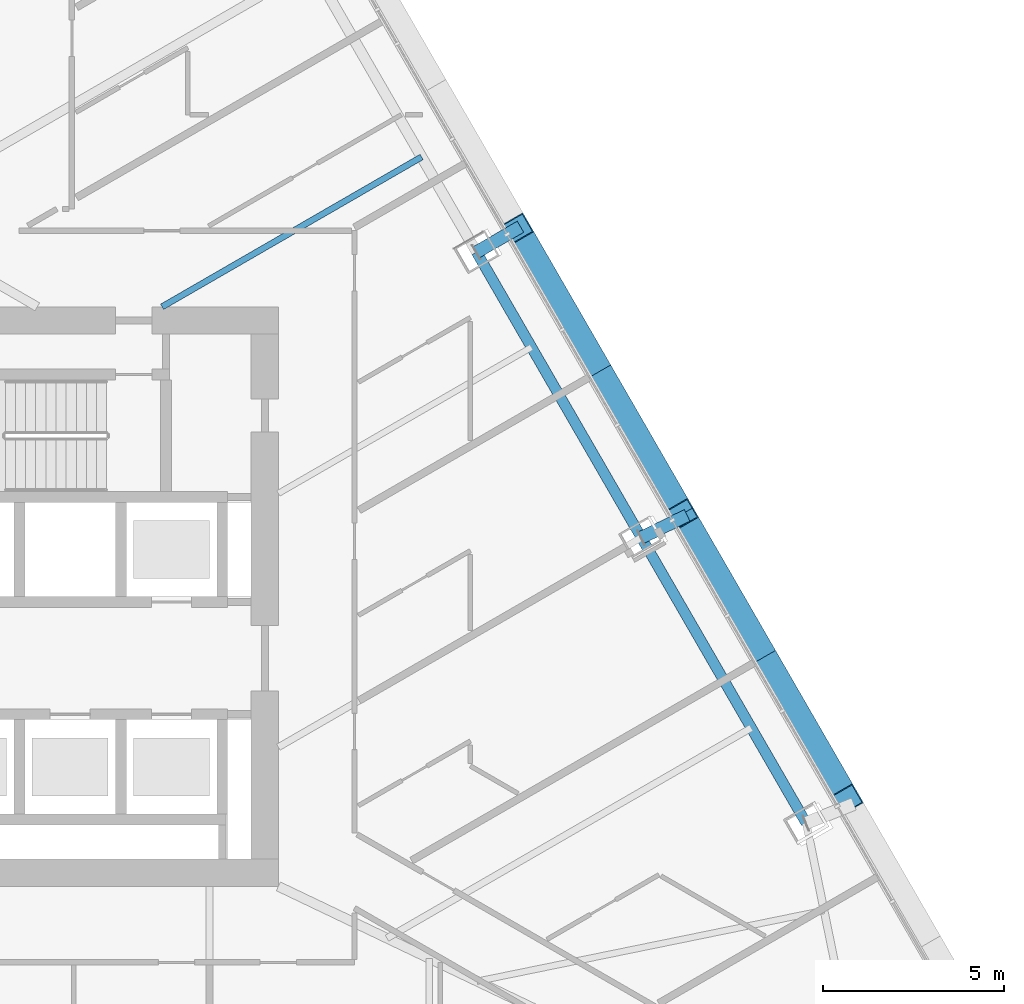
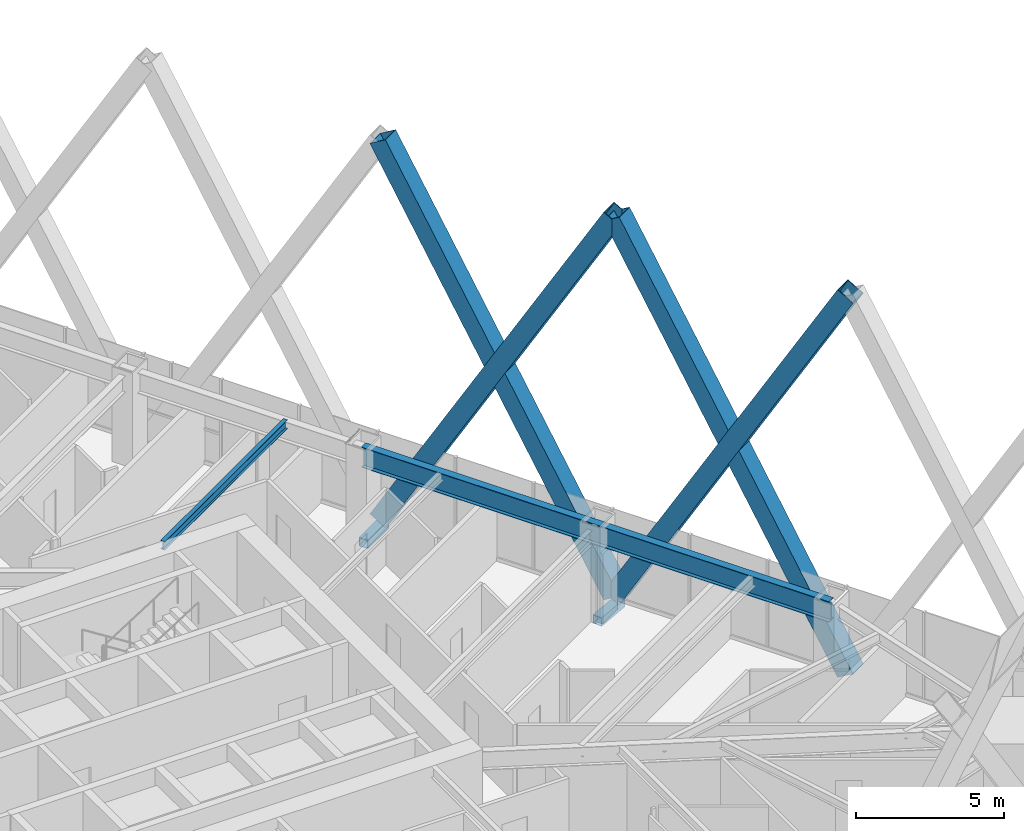
# One storey, part 9 of 26: 6 members, 2 beams.
"""IFC4 building model written with IfcOpenShell, lengths in metres."""

import ifcopenshell
import ifcopenshell.guid

model = None  # the IFC model being written
_history = None  # IfcOwnerHistory: only IFC2X3 demands one
_inside = {}  # id of a spatial element -> (the spatial element, [elements in it])
_under = {}  # id of a project, library or spatial element -> (it, [spatial elements below it])
_declared = {}  # id of a project -> (the project, [libraries it declares])
_typed = {}  # id of a type object -> (the type object, [elements of that type])
_made_of = {}  # id of a material, layer set ... -> (it, [elements and type objects made of it])


def new_model(schema):
    """Start an empty IFC model of exactly this schema.

    Asked for "IFC4X3", IfcOpenShell would pick the latest addendum, in which some entities
    have other attributes; the version numbers below select the first issue.
    IFC2X3 requires an IfcOwnerHistory on every rooted entity: one is made here for all.
    """
    global model, _history
    if schema == "IFC4X3":
        model = ifcopenshell.file(schema_version=(4, 3, 0, 0))
    else:
        model = ifcopenshell.file(schema=schema)
    _inside.clear()
    _under.clear()
    _declared.clear()
    _typed.clear()
    _made_of.clear()
    _history = None
    if model.schema == "IFC2X3":
        org = make("IfcOrganization", Name="unknown")
        user = make(
            "IfcPersonAndOrganization",
            ThePerson=make("IfcPerson", FamilyName="unknown"),
            TheOrganization=org,
        )
        app = make(
            "IfcApplication",
            ApplicationDeveloper=org,
            Version="unknown",
            ApplicationFullName="unknown",
            ApplicationIdentifier="unknown",
        )
        _history = make(
            "IfcOwnerHistory",
            OwningUser=user,
            OwningApplication=app,
            ChangeAction="ADDED",
            CreationDate=0,
        )
    return model


def make(cls, **values):
    """One entity of the class cls with the attributes given. An attribute that is None is left unset."""
    return model.create_entity(
        cls, **{name: value for name, value in values.items() if value is not None}
    )


def rooted(cls, **values):
    """An entity with a GlobalId (a new one), such as an element, a storey or a relation."""
    return make(cls, GlobalId=ifcopenshell.guid.new(), OwnerHistory=_history, **values)


def si_unit(unit_type, name, prefix=None):
    """IfcSIUnit, for example si_unit("LENGTHUNIT", "METRE", prefix="MILLI")."""
    return make("IfcSIUnit", UnitType=unit_type, Prefix=prefix, Name=name)


def assignment(units):
    """IfcUnitAssignment: the units of a project."""
    return None if units is None else make("IfcUnitAssignment", Units=units)


def point(xyz):
    """IfcCartesianPoint."""
    return None if xyz is None else make("IfcCartesianPoint", Coordinates=xyz)


def direction(xyz):
    """IfcDirection."""
    return None if xyz is None else make("IfcDirection", DirectionRatios=xyz)


def frame(location, z_axis=None, x_axis=None):
    """IfcAxis2Placement3D, a coordinate frame: its origin and axes. An axis left out is left unset."""
    return make(
        "IfcAxis2Placement3D",
        Location=point(location),
        Axis=direction(z_axis),
        RefDirection=direction(x_axis),
    )


def frame_2d(location, x_axis=None):
    """IfcAxis2Placement2D, a coordinate frame in the plane: its origin and x axis."""
    return make(
        "IfcAxis2Placement2D", Location=point(location), RefDirection=direction(x_axis)
    )


def origin():
    """The frame at (0, 0, 0) with its axes left unset."""
    return frame((0.0, 0.0, 0.0))


def origin_2d():
    """The frame at (0, 0) in the plane with its x axis left unset."""
    return frame_2d((0.0, 0.0))


def place(relative_to, where):
    """IfcLocalPlacement: puts the frame where relative to a parent placement (None: the world)."""
    return make(
        "IfcLocalPlacement", PlacementRelTo=relative_to, RelativePlacement=where
    )


def context(
    kind, dimensions, precision=None, world=None, true_north=None, identifier=None
):
    """IfcGeometricRepresentationContext, for example the 3D "Model" context."""
    return make(
        "IfcGeometricRepresentationContext",
        ContextIdentifier=identifier,
        ContextType=kind,
        CoordinateSpaceDimension=dimensions,
        Precision=precision,
        WorldCoordinateSystem=world,
        TrueNorth=true_north,
    )


def subcontext(parent, identifier, kind, view, scale=None):
    """IfcGeometricRepresentationSubContext, for example "Body" below "Model"."""
    return make(
        "IfcGeometricRepresentationSubContext",
        ContextIdentifier=identifier,
        ContextType=kind,
        ParentContext=parent,
        TargetScale=scale,
        TargetView=view,
    )


def project(units=None, contexts=None):
    """IfcProject with its units and contexts."""
    return rooted(
        "IfcProject",
        Name="project",
        RepresentationContexts=contexts,
        UnitsInContext=assignment(units),
    )


def spatial(cls, under=None, at=None, **own):
    """A site, building, storey or space (cls), placed at a placement, below another one or the project."""
    s = rooted(cls, ObjectPlacement=at, **own)
    if under is not None:
        _under.setdefault(under.id(), (under, []))[1].append(s)
    return s


def profile(cls, at=None, kind="AREA", **sizes):
    """A parametric profile (cls). Its sizes go by their IFC names, for example OverallWidth=200.0."""
    return make(cls, ProfileType=kind, Position=at, **sizes)


def hollow_rectangle(**sizes):
    """IfcRectangleHollowProfileDef."""
    return profile("IfcRectangleHollowProfileDef", **sizes)


def i_section(**sizes):
    """IfcIShapeProfileDef."""
    return profile("IfcIShapeProfileDef", **sizes)


def extrude(swept, where, along, depth):
    """IfcExtrudedAreaSolid: the profile swept, set in the frame where, extruded along a direction by depth."""
    return make(
        "IfcExtrudedAreaSolid",
        SweptArea=swept,
        Position=where,
        ExtrudedDirection=direction(along),
        Depth=depth,
    )


def shape(context_of_items, identifier, shape_type, items):
    """IfcShapeRepresentation: the items that make up one representation, for example the "Body"."""
    return make(
        "IfcShapeRepresentation",
        ContextOfItems=context_of_items,
        RepresentationIdentifier=identifier,
        RepresentationType=shape_type,
        Items=items,
    )


def material(Name=None, Category=None):
    """IfcMaterial."""
    return make("IfcMaterial", Name=Name, Category=Category)


def material_profile(
    of_material, cross_section, Name=None, Category=None, Priority=None
):
    """IfcMaterialProfile: a cross section and its material."""
    return make(
        "IfcMaterialProfile",
        Name=Name,
        Material=of_material,
        Profile=cross_section,
        Priority=Priority,
        Category=Category,
    )


def profile_set(profiles, Name=None, composite=None):
    """IfcMaterialProfileSet."""
    return make(
        "IfcMaterialProfileSet",
        Name=Name,
        MaterialProfiles=profiles,
        CompositeProfile=composite,
    )


def made_of(thing, what):
    """Note that an element or type object is made of a material, layer set ...; save() writes the relation."""
    if what is not None:
        _made_of.setdefault(what.id(), (what, []))[1].append(thing)
    return thing


def type_object(cls, material=None, **own):
    """A type object (cls), such as IfcWallType, which elements share."""
    return made_of(rooted(cls, **own), material)


def element(
    cls,
    number,
    at=None,
    inside=None,
    cuts=None,
    type_object=None,
    material=None,
    context=None,
    identifier="Body",
    shape_type=None,
    held_by="IfcProductDefinitionShape",
    body=None,
    shapes=None,
    **own,
):
    """One element of the class cls, such as IfcWall. Its Tag is "e" and its number.

    at: its placement. inside: the storey or other place that contains it. cuts: it is an
    opening in that element (IfcRelVoidsElement). A single representation is given by context,
    identifier, shape_type and body (its items); several are given by shapes. held_by: the class
    of the entity that holds the representations. save() writes the other relations.
    """
    e = rooted(cls, Tag="e%d" % number, ObjectPlacement=at, **own)
    if body is not None:
        shapes = [shape(context, identifier, shape_type, body)]
    if shapes is not None:
        e.Representation = make(held_by, Representations=shapes)
    if inside is not None:
        _inside.setdefault(inside.id(), (inside, []))[1].append(e)
    if cuts is not None:
        rooted(
            "IfcRelVoidsElement", RelatingBuildingElement=cuts, RelatedOpeningElement=e
        )
    if type_object is not None:
        _typed.setdefault(type_object.id(), (type_object, []))[1].append(e)
    return made_of(e, material)


def aggregate(whole, parts):
    """IfcRelAggregates: a whole, such as a stair, and the parts it consists of."""
    return rooted("IfcRelAggregates", RelatingObject=whole, RelatedObjects=parts)


def save(model, path):
    """Write the relations noted so far, then the file.

    IfcRelAggregates (storeys below a building ...), IfcRelContainedInSpatialStructure (elements
    in a storey), IfcRelDefinesByType, IfcRelAssociatesMaterial and IfcRelDeclares: one each for
    every whole, place, type object, material and project.
    """
    for whole, parts in _under.values():
        aggregate(whole, parts)
    for where, things in _inside.values():
        rooted(
            "IfcRelContainedInSpatialStructure",
            RelatedElements=things,
            RelatingStructure=where,
        )
    for kind, things in _typed.values():
        rooted("IfcRelDefinesByType", RelatedObjects=things, RelatingType=kind)
    for what, things in _made_of.values():
        rooted("IfcRelAssociatesMaterial", RelatedObjects=things, RelatingMaterial=what)
    for by, libraries in _declared.values():
        rooted("IfcRelDeclares", RelatingContext=by, RelatedDefinitions=libraries)
    model.write(path)


model = new_model("IFC4")

# Units and contexts
model_context = context("Model", 3, precision=1e-05, world=origin(), true_north=direction((0.0, 1.0)))
body_context = subcontext(model_context, "Body", "Model", "MODEL_VIEW")
ifc_project = project(units=[si_unit("LENGTHUNIT", "METRE"), si_unit("AREAUNIT", "SQUARE_METRE"), si_unit("VOLUMEUNIT", "CUBIC_METRE"), si_unit("PLANEANGLEUNIT", "RADIAN"), si_unit("MASSUNIT", "GRAM", prefix="KILO")], contexts=[model_context])

# Site, building, storey
site_placement = place(None, origin())
site = spatial("IfcSite", under=ifc_project, at=site_placement, CompositionType="ELEMENT")
building_placement = place(site_placement, origin())
building = spatial("IfcBuilding", under=site, at=building_placement, Name="Firuza Gate Tower and Library", CompositionType="ELEMENT")
storey_placement = place(building_placement, frame((0.0, 0.0, 155.800048828125)))
storey = spatial("IfcBuildingStorey", under=building, at=storey_placement, Name="L35", CompositionType="ELEMENT", Elevation=155.800048828125)

# Members
ifc_material_1 = material(Name="Steel S355", Category="steel")
ifc_material_profile_1 = material_profile(ifc_material_1, hollow_rectangle(XDim=0.699951171875, YDim=0.699951171875, WallThickness=0.030029296875, at=origin_2d()))
ifc_profile_set_1 = profile_set([ifc_material_profile_1], Name="Steel S355")
member_type_1 = type_object("IfcMemberType", Name="BU700x700x30 Lattice brace", PredefinedType="BRACE", material=ifc_profile_set_1)
for number, where, z_axis, x_axis, name in (
    (1, (101.6962890625, 69.397705078125, 0.0), (-0.251926977952, 0.436370618604, 0.863778606472), (-0.866035472144, -0.499982560684, 0.0), "Lattice brace E 8.2R"),
    (2, (97.146484375, 77.278564453125, 0.0), (0.251926977952, -0.436370618604, 0.863778606472), (0.866035472144, 0.499982560684, 0.0), "Lattice brace E 8.2L"),
    (3, (97.146484375, 77.278564453125, 0.0), (-0.251941124385, 0.436358188228, 0.863780760037), (-0.866017147671, -0.500014299735, 0.0), "Lattice brace E 8.3R"),
    (4, (92.596435546875, 85.1591796875, 0.0), (0.251941124385, -0.436358188228, 0.863780760037), (0.866017147671, 0.500014299735, 0.0), "Lattice brace E 8.3L"),
):
    element("IfcMember", number, at=place(storey_placement, frame(where, z_axis=z_axis, x_axis=x_axis)), inside=storey, type_object=member_type_1, Name=name, PredefinedType="BRACE", context=body_context, shape_type="SweptSolid", body=[
        extrude(hollow_rectangle(XDim=0.699951171875, YDim=0.699951171875, WallThickness=0.030029296875, at=origin_2d()), origin(), (0.0, 0.0, 1.0), 18.06005859375),
    ])
ifc_material_2 = material(Name="Steel S355", Category="steel")
ifc_material_profile_2 = material_profile(ifc_material_2, hollow_rectangle(XDim=0.355712890625, YDim=0.355712890625, WallThickness=0.014892578125, at=origin_2d()))
ifc_profile_set_2 = profile_set([ifc_material_profile_2], Name="Steel S355")
member_type_2 = type_object("IfcMemberType", Name="HSS356x356x16 Lattice node tie", PredefinedType="BRACE", material=ifc_profile_set_2)
member_1_placement = place(storey_placement, frame((91.470458984375, 84.50927734375, -0.340087890625), z_axis=(0.866034573852, 0.49998411664, 0.0), x_axis=(-0.49998411664, 0.866034573852, 0.0)))
element("IfcMember", 5, at=member_1_placement, inside=storey, type_object=member_type_2, Name="Lattice node tie E L35 152", PredefinedType="BRACE", context=body_context, shape_type="SweptSolid", body=[
    extrude(hollow_rectangle(XDim=0.355712890625, YDim=0.355712890625, WallThickness=0.014892578125, at=origin_2d()), origin(), (0.0, 0.0, 1.0), 1.39990234375),
])
member_2_placement = place(storey_placement, frame((96.0205078125, 76.62841796875, -0.340087890625), z_axis=(0.899617482339, 0.436678812711, 0.0), x_axis=(-0.436678812711, 0.899617482339, 0.0)))
element("IfcMember", 6, at=member_2_placement, inside=storey, type_object=member_type_2, Name="Lattice node tie E L35 153", PredefinedType="BRACE", context=body_context, shape_type="SweptSolid", body=[
    extrude(hollow_rectangle(XDim=0.355712890625, YDim=0.355712890625, WallThickness=0.014892578125, at=origin_2d()), origin(), (0.0, 0.0, 1.0), 1.40380859375),
])

# Beams
ifc_material_3 = material(Name="Steel S355", Category="steel")
ifc_material_profile_3 = material_profile(ifc_material_3, i_section(OverallWidth=0.1708984375, OverallDepth=0.35498046875, WebThickness=0.007080078125, FlangeThickness=0.01171875, at=origin_2d()))
ifc_profile_set_3 = profile_set([ifc_material_profile_3], Name="Steel S355")
beam_type_1 = type_object("IfcBeamType", Name="W360x51 Floor beam", PredefinedType="JOIST", material=ifc_profile_set_3)
beam_1_placement = place(storey_placement, frame((89.953857421875, 87.13623046875, 3.5224609375), z_axis=(-0.866022417212, -0.50000517286, 0.0), x_axis=(0.50000517286, -0.866022417212, 0.0)))
element("IfcBeam", 7, at=beam_1_placement, inside=storey, type_object=beam_type_1, Name="Floor beam L35 s53", PredefinedType="JOIST", context=body_context, shape_type="SweptSolid", body=[
    extrude(i_section(OverallWidth=0.1708984375, OverallDepth=0.35498046875, WebThickness=0.007080078125, FlangeThickness=0.01171875, at=origin_2d()), origin(), (0.0, 0.0, 1.0), 8.2724609375),
])
ifc_material_4 = material(Name="Steel S355", Category="steel")
ifc_material_profile_4 = material_profile(ifc_material_4, i_section(OverallWidth=0.2919921875, OverallDepth=0.8349609375, WebThickness=0.013916015625, FlangeThickness=0.018798828125, at=origin_2d()))
ifc_profile_set_4 = profile_set([ifc_material_profile_4], Name="Steel S355")
beam_type_2 = type_object("IfcBeamType", Name="W840x176 Edge beam", PredefinedType="SPANDREL", material=ifc_profile_set_4)
beam_2_placement = place(storey_placement, frame((100.570556640625, 68.74755859375, 3.282470703125), z_axis=(-0.500002682389, 0.866023855101, 0.0), x_axis=(-0.866023855101, -0.500002682389, 0.0)))
element("IfcBeam", 8, at=beam_2_placement, inside=storey, type_object=beam_type_2, Name="Edge beam L35 e50", PredefinedType="SPANDREL", context=body_context, shape_type="SweptSolid", body=[
    extrude(i_section(OverallWidth=0.2919921875, OverallDepth=0.8349609375, WebThickness=0.013916015625, FlangeThickness=0.018798828125, at=origin_2d()), origin(), (0.0, 0.0, 1.0), 18.2001953125),
])

save(model, "model.ifc")
